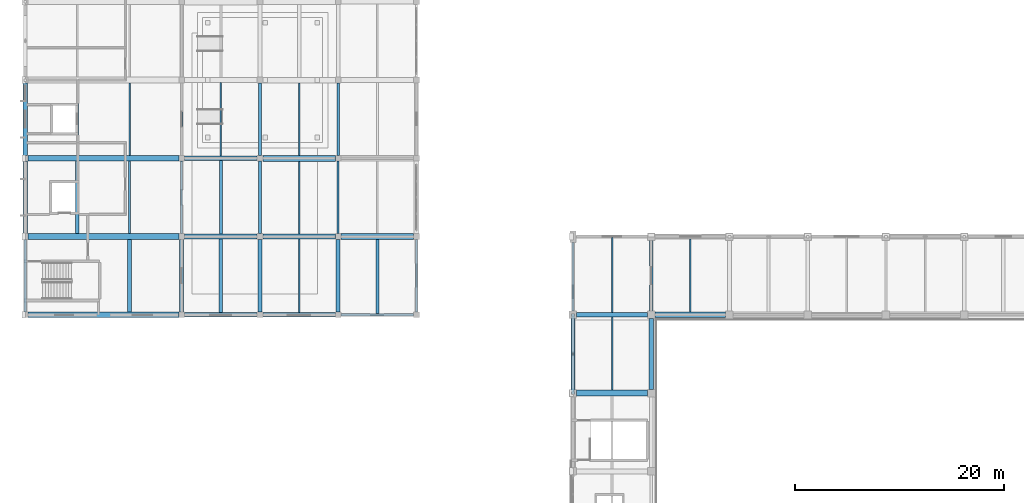
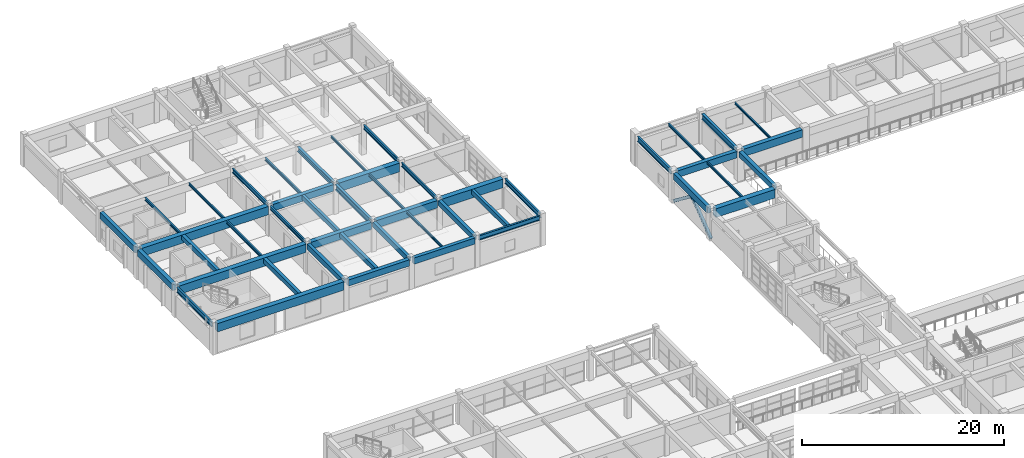
# One storey, part 51 of 101: 46 beams, 2 members.
"""IFC4 building model written with IfcOpenShell, lengths in metres."""

from ifc_helpers import new_model, si_unit, direction, frame, origin, origin_2d, place, context, subcontext, project, spatial, rectangle, i_section, extrude, material, material_profile, profile_set, type_object, element, save


model = new_model("IFC4")

# Units and contexts
model_context = context("Model", 3, precision=1e-05, world=origin(), true_north=direction((0.0, 1.0)))
body_context = subcontext(model_context, "Body", "Model", "MODEL_VIEW")
ifc_project = project(units=[si_unit("LENGTHUNIT", "METRE"), si_unit("AREAUNIT", "SQUARE_METRE"), si_unit("VOLUMEUNIT", "CUBIC_METRE"), si_unit("PLANEANGLEUNIT", "RADIAN"), si_unit("MASSUNIT", "GRAM", prefix="KILO")], contexts=[model_context])

# Site, building, storey
site_placement = place(None, origin())
site = spatial("IfcSite", under=ifc_project, at=site_placement, CompositionType="ELEMENT")
building_placement = place(site_placement, origin())
building = spatial("IfcBuilding", under=site, at=building_placement, Name="Qasida Concert Hall", CompositionType="ELEMENT")
storey_placement = place(building_placement, frame((0.0, 0.0, 13.199951171875)))
storey = spatial("IfcBuildingStorey", under=building, at=storey_placement, Name="L03", CompositionType="ELEMENT", Elevation=13.199951171875)

# Beams
ifc_material_1 = material(Name="Concrete C40/50", Category="concrete")
ifc_material_profile_1 = material_profile(ifc_material_1, rectangle(XDim=0.39990234375, YDim=0.64990234375, at=origin_2d()), Name="RC 400x650")
ifc_profile_set_1 = profile_set([ifc_material_profile_1], Name="Concrete C40/50")
beam_type_1 = type_object("IfcBeamType", Name="BM-B1", PredefinedType="BEAM", material=ifc_profile_set_1)
beam_1_placement = place(storey_placement, frame((60.0, 67.860107421875, 3.295166015625), z_axis=(0.0, 1.0, 0.0), x_axis=(-1.0, 0.0, 0.0)))
element("IfcBeam", 1, at=beam_1_placement, inside=storey, type_object=beam_type_1, Name="L03 girder 1554", PredefinedType="BEAM", context=body_context, shape_type="SweptSolid", body=[
    extrude(rectangle(XDim=0.39990234375, YDim=0.64990234375, at=origin_2d()), origin(), (0.0, 0.0, 1.0), 6.77978515625),
])
ifc_material_profile_2 = material_profile(ifc_material_1, rectangle(XDim=0.3798828125, YDim=0.6201171875, at=origin_2d()), Name="RC 380x620")
ifc_profile_set_2 = profile_set([ifc_material_profile_2], Name="Concrete C40/50")
beam_type_2 = type_object("IfcBeamType", Name="BM-B10", PredefinedType="BEAM", material=ifc_profile_set_2)
for number, where, z_axis, x_axis, name in (
    (2, (15.0, 75.27490234375, 3.31005859375), (0.0, 1.0, 0.0), (-1.0, 0.0, 0.0), "L03 girder 1762"),
    (3, (30.0, 75.27490234375, 3.31005859375), (0.0, 1.0, 0.0), (-1.0, 0.0, 0.0), "L03 girder 1772"),
):
    element("IfcBeam", number, at=place(storey_placement, frame(where, z_axis=z_axis, x_axis=x_axis)), inside=storey, type_object=beam_type_2, Name=name, PredefinedType="BEAM", context=body_context, shape_type="SweptSolid", body=[
        extrude(rectangle(XDim=0.3798828125, YDim=0.6201171875, at=origin_2d()), origin(), (0.0, 0.0, 1.0), 6.9501953125),
    ])
ifc_material_2 = material(Name="Steel S355J2", Category="steel")
ifc_material_profile_3 = material_profile(ifc_material_2, i_section(OverallWidth=0.300048828125, OverallDepth=0.550048828125, WebThickness=0.014892578125, FlangeThickness=0.029052734375, FilletRadius=0.027099609375, at=origin_2d()), Name="HEB 550")
ifc_profile_set_3 = profile_set([ifc_material_profile_3], Name="Steel S355J2")
beam_type_3 = type_object("IfcBeamType", Name="BM-B12", PredefinedType="BEAM", material=ifc_profile_set_3)
beam_2_placement = place(storey_placement, frame((22.5, 90.27490234375, 3.344970703125), z_axis=(0.0, 1.0, 0.0), x_axis=(-1.0, 0.0, 0.0)))
element("IfcBeam", 4, at=beam_2_placement, inside=storey, type_object=beam_type_3, Name="L03 girder 1769", PredefinedType="BEAM", context=body_context, shape_type="SweptSolid", body=[
    extrude(i_section(OverallWidth=0.300048828125, OverallDepth=0.550048828125, WebThickness=0.014892578125, FlangeThickness=0.029052734375, FilletRadius=0.027099609375, at=origin_2d()), origin(), (0.0, 0.0, 1.0), 6.9501953125),
])
ifc_material_profile_4 = material_profile(ifc_material_2, i_section(OverallWidth=0.300048828125, OverallDepth=0.64990234375, WebThickness=0.01611328125, FlangeThickness=0.031005859375, FilletRadius=0.027099609375, at=origin_2d()), Name="HEB 650")
ifc_profile_set_4 = profile_set([ifc_material_profile_4], Name="Steel S355J2")
beam_type_4 = type_object("IfcBeamType", Name="BM-B13", PredefinedType="BEAM", material=ifc_profile_set_4)
beam_3_placement = place(storey_placement, frame((60.0, 75.360107421875, 3.295166015625), z_axis=(0.0, 1.0, 0.0), x_axis=(-1.0, 0.0, 0.0)))
element("IfcBeam", 5, at=beam_3_placement, inside=storey, type_object=beam_type_4, Name="L03 girder 1555", PredefinedType="BEAM", context=body_context, shape_type="SweptSolid", body=[
    extrude(i_section(OverallWidth=0.300048828125, OverallDepth=0.64990234375, WebThickness=0.01611328125, FlangeThickness=0.031005859375, FilletRadius=0.027099609375, at=origin_2d()), origin(), (0.0, 0.0, 1.0), 6.77978515625),
])
beam_4_placement = place(storey_placement, frame((22.5, 82.77490234375, 3.295166015625), z_axis=(0.0, 1.0, 0.0), x_axis=(-1.0, 0.0, 0.0)))
element("IfcBeam", 6, at=beam_4_placement, inside=storey, type_object=beam_type_4, Name="L03 girder 1768", PredefinedType="BEAM", context=body_context, shape_type="SweptSolid", body=[
    extrude(i_section(OverallWidth=0.300048828125, OverallDepth=0.64990234375, WebThickness=0.01611328125, FlangeThickness=0.031005859375, FilletRadius=0.027099609375, at=origin_2d()), origin(), (0.0, 0.0, 1.0), 6.9501953125),
])
ifc_material_profile_5 = material_profile(ifc_material_1, rectangle(XDim=0.35009765625, YDim=0.60009765625, at=origin_2d()), Name="RC 350x600")
ifc_profile_set_5 = profile_set([ifc_material_profile_5], Name="Concrete C40/50")
beam_type_5 = type_object("IfcBeamType", Name="BM-B2", PredefinedType="BEAM", material=ifc_profile_set_5)
beam_5_placement = place(storey_placement, frame((22.5, 75.27490234375, 3.320068359375), z_axis=(0.0, 1.0, 0.0), x_axis=(-1.0, 0.0, 0.0)))
element("IfcBeam", 7, at=beam_5_placement, inside=storey, type_object=beam_type_5, Name="L03 girder 1767", PredefinedType="BEAM", context=body_context, shape_type="SweptSolid", body=[
    extrude(rectangle(XDim=0.35009765625, YDim=0.60009765625, at=origin_2d()), origin(), (0.0, 0.0, 1.0), 6.9501953125),
])
ifc_material_profile_6 = material_profile(ifc_material_2, i_section(OverallWidth=0.199951171875, OverallDepth=0.5, WebThickness=0.01025390625, FlangeThickness=0.01611328125, FilletRadius=0.02099609375, at=origin_2d()), Name="IPE 500")
ifc_profile_set_6 = profile_set([ifc_material_profile_6], Name="Steel S355J2")
beam_type_6 = type_object("IfcBeamType", Name="BM-B4", PredefinedType="BEAM", material=ifc_profile_set_6)
for number, where, z_axis, x_axis, name in (
    (8, (15.0, 90.27490234375, 3.3701171875), (0.0, 1.0, 0.0), (-1.0, 0.0, 0.0), "L03 girder 1764"),
    (9, (30.0, 90.27490234375, 3.3701171875), (0.0, 1.0, 0.0), (-1.0, 0.0, 0.0), "L03 girder 1774"),
):
    element("IfcBeam", number, at=place(storey_placement, frame(where, z_axis=z_axis, x_axis=x_axis)), inside=storey, type_object=beam_type_6, Name=name, PredefinedType="BEAM", context=body_context, shape_type="SweptSolid", body=[
        extrude(i_section(OverallWidth=0.199951171875, OverallDepth=0.5, WebThickness=0.01025390625, FlangeThickness=0.01611328125, FilletRadius=0.02099609375, at=origin_2d()), origin(), (0.0, 0.0, 1.0), 6.9501953125),
    ])
ifc_material_profile_7 = material_profile(ifc_material_2, i_section(OverallWidth=0.18994140625, OverallDepth=0.449951171875, WebThickness=0.009521484375, FlangeThickness=0.0146484375, FilletRadius=0.02099609375, at=origin_2d()), Name="IPE 450")
ifc_profile_set_7 = profile_set([ifc_material_profile_7], Name="Steel S355J2")
beam_type_7 = type_object("IfcBeamType", Name="BM-B5", PredefinedType="BEAM", material=ifc_profile_set_7)
for number, where, z_axis, x_axis, name in (
    (10, (15.0, 82.77490234375, 3.39501953125), (0.0, 1.0, 0.0), (-1.0, 0.0, 0.0), "L03 girder 1763"),
    (11, (30.0, 82.77490234375, 3.39501953125), (0.0, 1.0, 0.0), (-1.0, 0.0, 0.0), "L03 girder 1773"),
):
    element("IfcBeam", number, at=place(storey_placement, frame(where, z_axis=z_axis, x_axis=x_axis)), inside=storey, type_object=beam_type_7, Name=name, PredefinedType="BEAM", context=body_context, shape_type="SweptSolid", body=[
        extrude(i_section(OverallWidth=0.18994140625, OverallDepth=0.449951171875, WebThickness=0.009521484375, FlangeThickness=0.0146484375, FilletRadius=0.02099609375, at=origin_2d()), origin(), (0.0, 0.0, 1.0), 6.9501953125),
    ])
ifc_material_profile_8 = material_profile(ifc_material_1, rectangle(XDim=0.5, YDim=0.89990234375, at=origin_2d()), Name="RC 500x900")
ifc_profile_set_8 = profile_set([ifc_material_profile_8], Name="Concrete C40/50")
beam_type_8 = type_object("IfcBeamType", Name="BM-G1", PredefinedType="USERDEFINED", material=ifc_profile_set_8)
beam_6_placement = place(storey_placement, frame((60.360107421875, 75.0, 3.170166015625), z_axis=(1.0, 0.0, 0.0), x_axis=(0.0, 1.0, 0.0)))
element("IfcBeam", 12, at=beam_6_placement, inside=storey, type_object=beam_type_8, Name="Primary girder 1531", ObjectType="GIRDER", PredefinedType="USERDEFINED", context=body_context, shape_type="SweptSolid", body=[
    extrude(rectangle(XDim=0.5, YDim=0.89990234375, at=origin_2d()), origin(), (0.0, 0.0, 1.0), 6.77978515625),
])
beam_7_placement = place(storey_placement, frame((22.77490234375, 82.5, 3.170166015625), z_axis=(1.0, 0.0, 0.0), x_axis=(0.0, 1.0, 0.0)))
element("IfcBeam", 13, at=beam_7_placement, inside=storey, type_object=beam_type_8, Name="Primary girder 1739", ObjectType="GIRDER", PredefinedType="USERDEFINED", context=body_context, shape_type="SweptSolid", body=[
    extrude(rectangle(XDim=0.5, YDim=0.89990234375, at=origin_2d()), origin(), (0.0, 0.0, 1.0), 6.9501953125),
])
ifc_material_profile_9 = material_profile(ifc_material_1, rectangle(XDim=0.449951171875, YDim=0.800048828125, at=origin_2d()), Name="RC 450x800")
ifc_profile_set_9 = profile_set([ifc_material_profile_9], Name="Concrete C40/50")
beam_type_9 = type_object("IfcBeamType", Name="BM-G2", PredefinedType="USERDEFINED", material=ifc_profile_set_9)
beam_8_placement = place(storey_placement, frame((52.860107421875, 75.0, 3.219970703125), z_axis=(1.0, 0.0, 0.0), x_axis=(0.0, 1.0, 0.0)))
element("IfcBeam", 14, at=beam_8_placement, inside=storey, type_object=beam_type_9, Name="Primary girder 1530", ObjectType="GIRDER", PredefinedType="USERDEFINED", context=body_context, shape_type="SweptSolid", body=[
    extrude(rectangle(XDim=0.449951171875, YDim=0.800048828125, at=origin_2d()), origin(), (0.0, 0.0, 1.0), 6.77978515625),
])
beam_9_placement = place(storey_placement, frame((15.27490234375, 90.0, 3.219970703125), z_axis=(1.0, 0.0, 0.0), x_axis=(0.0, 1.0, 0.0)))
element("IfcBeam", 15, at=beam_9_placement, inside=storey, type_object=beam_type_9, Name="Primary girder 1742", ObjectType="GIRDER", PredefinedType="USERDEFINED", context=body_context, shape_type="SweptSolid", body=[
    extrude(rectangle(XDim=0.449951171875, YDim=0.800048828125, at=origin_2d()), origin(), (0.0, 0.0, 1.0), 6.9501953125),
])
ifc_material_profile_10 = material_profile(ifc_material_1, rectangle(XDim=0.550048828125, YDim=1.0, at=origin_2d()), Name="RC 550x1000")
ifc_profile_set_10 = profile_set([ifc_material_profile_10], Name="Concrete C40/50")
beam_type_10 = type_object("IfcBeamType", Name="BM-G3", PredefinedType="USERDEFINED", material=ifc_profile_set_10)
for number, where, z_axis, x_axis, name in (
    (16, (0.27490234375, 75.0, 3.1201171875), (1.0, 0.0, 0.0), (0.0, 1.0, 0.0), "Primary girder 1733"),
    (17, (0.27490234375, 82.5, 3.1201171875), (1.0, 0.0, 0.0), (0.0, 1.0, 0.0), "Primary girder 1737"),
    (18, (0.27490234375, 90.0, 3.1201171875), (1.0, 0.0, 0.0), (0.0, 1.0, 0.0), "Primary girder 1741"),
):
    element("IfcBeam", number, at=place(storey_placement, frame(where, z_axis=z_axis, x_axis=x_axis)), inside=storey, type_object=beam_type_10, Name=name, ObjectType="GIRDER", PredefinedType="USERDEFINED", context=body_context, shape_type="SweptSolid", body=[
        extrude(rectangle(XDim=0.550048828125, YDim=1.0, at=origin_2d()), origin(), (0.0, 0.0, 1.0), 14.4501953125),
    ])
ifc_material_profile_11 = material_profile(ifc_material_1, rectangle(XDim=0.47998046875, YDim=0.85009765625, at=origin_2d()), Name="RC 480x850")
ifc_profile_set_11 = profile_set([ifc_material_profile_11], Name="Concrete C40/50")
beam_type_11 = type_object("IfcBeamType", Name="BM-G6", PredefinedType="USERDEFINED", material=ifc_profile_set_11)
beam_10_placement = place(storey_placement, frame((15.27490234375, 82.5, 3.195068359375), z_axis=(1.0, 0.0, 0.0), x_axis=(0.0, 1.0, 0.0)))
element("IfcBeam", 19, at=beam_10_placement, inside=storey, type_object=beam_type_11, Name="Primary girder 1738", ObjectType="GIRDER", PredefinedType="USERDEFINED", context=body_context, shape_type="SweptSolid", body=[
    extrude(rectangle(XDim=0.47998046875, YDim=0.85009765625, at=origin_2d()), origin(), (0.0, 0.0, 1.0), 6.9501953125),
])
ifc_material_3 = material(Name="Concrete C50/60", Category="concrete")
ifc_material_profile_12 = material_profile(ifc_material_3, rectangle(XDim=0.580078125, YDim=1.050048828125, at=origin_2d()), Name="RC 580x1050")
ifc_profile_set_12 = profile_set([ifc_material_profile_12], Name="Concrete C50/60")
beam_type_12 = type_object("IfcBeamType", Name="BM-G8", PredefinedType="USERDEFINED", material=ifc_profile_set_12)
beam_11_placement = place(storey_placement, frame((52.860107421875, 67.5, 3.094970703125), z_axis=(1.0, 0.0, 0.0), x_axis=(0.0, 1.0, 0.0)))
element("IfcBeam", 20, at=beam_11_placement, inside=storey, type_object=beam_type_12, Name="Primary girder 1528", ObjectType="GIRDER", PredefinedType="USERDEFINED", context=body_context, shape_type="SweptSolid", body=[
    extrude(rectangle(XDim=0.580078125, YDim=1.050048828125, at=origin_2d()), origin(), (0.0, 0.0, 1.0), 6.77978515625),
])
for number, where, z_axis, x_axis, name in (
    (21, (30.27490234375, 82.5, 3.094970703125), (1.0, 0.0, 0.0), (0.0, 1.0, 0.0), "Primary girder 1740"),
    (22, (22.77490234375, 90.0, 3.094970703125), (1.0, 0.0, 0.0), (0.0, 1.0, 0.0), "Primary girder 1743"),
):
    element("IfcBeam", number, at=place(storey_placement, frame(where, z_axis=z_axis, x_axis=x_axis)), inside=storey, type_object=beam_type_12, Name=name, ObjectType="GIRDER", PredefinedType="USERDEFINED", context=body_context, shape_type="SweptSolid", body=[
        extrude(rectangle(XDim=0.580078125, YDim=1.050048828125, at=origin_2d()), origin(), (0.0, 0.0, 1.0), 6.9501953125),
    ])
ifc_material_profile_13 = material_profile(ifc_material_1, rectangle(XDim=0.300048828125, YDim=0.550048828125, at=origin_2d()), Name="RC 300x550")
ifc_profile_set_13 = profile_set([ifc_material_profile_13], Name="Concrete C40/50")
beam_type_13 = type_object("IfcBeamType", Name="BM-J1", PredefinedType="JOIST", material=ifc_profile_set_13)
beam_12_placement = place(storey_placement, frame((18.75, 82.739990234375, 3.344970703125), z_axis=(0.0, 1.0, 0.0), x_axis=(-1.0, 0.0, 0.0)))
element("IfcBeam", 23, at=beam_12_placement, inside=storey, type_object=beam_type_13, Name="L03 secondary joist 1792", PredefinedType="JOIST", context=body_context, shape_type="SweptSolid", body=[
    extrude(rectangle(XDim=0.300048828125, YDim=0.550048828125, at=origin_2d()), origin(), (0.0, 0.0, 1.0), 7.034912109375),
])
beam_13_placement = place(storey_placement, frame((33.75, 75.10498046875, 3.344970703125), z_axis=(0.0, 1.0, 0.0), x_axis=(-1.0, 0.0, 0.0)))
element("IfcBeam", 24, at=beam_13_placement, inside=storey, type_object=beam_type_13, Name="L03 secondary joist 1800", PredefinedType="JOIST", context=body_context, shape_type="SweptSolid", body=[
    extrude(rectangle(XDim=0.300048828125, YDim=0.550048828125, at=origin_2d()), origin(), (0.0, 0.0, 1.0), 7.10498046875),
])
ifc_material_profile_14 = material_profile(ifc_material_2, i_section(OverallWidth=0.169921875, OverallDepth=0.360107421875, WebThickness=0.008056640625, FlangeThickness=0.0126953125, FilletRadius=0.01806640625, at=origin_2d()), Name="IPE 360")
ifc_profile_set_14 = profile_set([ifc_material_profile_14], Name="Steel S355J2")
beam_type_14 = type_object("IfcBeamType", Name="BM-J2", PredefinedType="JOIST", material=ifc_profile_set_14)
for number, where, z_axis, x_axis, name in (
    (25, (10.0, 82.77490234375, 3.43994140625), (0.0, 1.0, 0.0), (-1.0, 0.0, 0.0), "L03 secondary joist 1784"),
    (26, (5.0, 90.27490234375, 3.43994140625), (0.0, 1.0, 0.0), (-1.0, 0.0, 0.0), "L03 secondary joist 1785"),
):
    element("IfcBeam", number, at=place(storey_placement, frame(where, z_axis=z_axis, x_axis=x_axis)), inside=storey, type_object=beam_type_14, Name=name, PredefinedType="JOIST", context=body_context, shape_type="SweptSolid", body=[
        extrude(i_section(OverallWidth=0.169921875, OverallDepth=0.360107421875, WebThickness=0.008056640625, FlangeThickness=0.0126953125, FilletRadius=0.01806640625, at=origin_2d()), origin(), (0.0, 0.0, 1.0), 6.9501953125),
    ])
beam_14_placement = place(storey_placement, frame((18.75, 90.22509765625, 3.43994140625), z_axis=(0.0, 1.0, 0.0), x_axis=(-1.0, 0.0, 0.0)))
element("IfcBeam", 27, at=beam_14_placement, inside=storey, type_object=beam_type_14, Name="L03 secondary joist 1793", PredefinedType="JOIST", context=body_context, shape_type="SweptSolid", body=[
    extrude(i_section(OverallWidth=0.169921875, OverallDepth=0.360107421875, WebThickness=0.008056640625, FlangeThickness=0.0126953125, FilletRadius=0.01806640625, at=origin_2d()), origin(), (0.0, 0.0, 1.0), 7.02490234375),
])
ifc_material_profile_15 = material_profile(ifc_material_2, i_section(OverallWidth=0.14990234375, OverallDepth=0.300048828125, WebThickness=0.007080078125, FlangeThickness=0.0107421875, FilletRadius=0.014892578125, at=origin_2d()), Name="IPE 300")
ifc_profile_set_15 = profile_set([ifc_material_profile_15], Name="Steel S355J2")
beam_type_15 = type_object("IfcBeamType", Name="BM-J4", PredefinedType="JOIST", material=ifc_profile_set_15)
beam_15_placement = place(storey_placement, frame((56.25, 67.7900390625, 3.469970703125), z_axis=(0.0, 1.0, 0.0), x_axis=(-1.0, 0.0, 0.0)))
element("IfcBeam", 28, at=beam_15_placement, inside=storey, type_object=beam_type_15, Name="L03 secondary joist 1579", PredefinedType="JOIST", context=body_context, shape_type="SweptSolid", body=[
    extrude(i_section(OverallWidth=0.14990234375, OverallDepth=0.300048828125, WebThickness=0.007080078125, FlangeThickness=0.0107421875, FilletRadius=0.014892578125, at=origin_2d()), origin(), (0.0, 0.0, 1.0), 6.98486328125),
])
beam_16_placement = place(storey_placement, frame((10.0, 90.27490234375, 3.469970703125), z_axis=(0.0, 1.0, 0.0), x_axis=(-1.0, 0.0, 0.0)))
element("IfcBeam", 29, at=beam_16_placement, inside=storey, type_object=beam_type_15, Name="L03 secondary joist 1786", PredefinedType="JOIST", context=body_context, shape_type="SweptSolid", body=[
    extrude(i_section(OverallWidth=0.14990234375, OverallDepth=0.300048828125, WebThickness=0.007080078125, FlangeThickness=0.0107421875, FilletRadius=0.014892578125, at=origin_2d()), origin(), (0.0, 0.0, 1.0), 6.9501953125),
])
beam_17_placement = place(storey_placement, frame((26.25, 75.199951171875, 3.469970703125), z_axis=(0.0, 1.0, 0.0), x_axis=(-1.0, 0.0, 0.0)))
element("IfcBeam", 30, at=beam_17_placement, inside=storey, type_object=beam_type_15, Name="L03 secondary joist 1795", PredefinedType="JOIST", context=body_context, shape_type="SweptSolid", body=[
    extrude(i_section(OverallWidth=0.14990234375, OverallDepth=0.300048828125, WebThickness=0.007080078125, FlangeThickness=0.0107421875, FilletRadius=0.014892578125, at=origin_2d()), origin(), (0.0, 0.0, 1.0), 7.050048828125),
])
ifc_material_profile_16 = material_profile(ifc_material_2, i_section(OverallWidth=0.159912109375, OverallDepth=0.330078125, WebThickness=0.007568359375, FlangeThickness=0.011474609375, FilletRadius=0.01806640625, at=origin_2d()), Name="IPE 330")
ifc_profile_set_16 = profile_set([ifc_material_profile_16], Name="Steel S355J2")
beam_type_16 = type_object("IfcBeamType", Name="BM-J5", PredefinedType="JOIST", material=ifc_profile_set_16)
beam_18_placement = place(storey_placement, frame((56.25, 75.22509765625, 3.455078125), z_axis=(0.0, 1.0, 0.0), x_axis=(-1.0, 0.0, 0.0)))
element("IfcBeam", 31, at=beam_18_placement, inside=storey, type_object=beam_type_16, Name="L03 secondary joist 1580", PredefinedType="JOIST", context=body_context, shape_type="SweptSolid", body=[
    extrude(i_section(OverallWidth=0.159912109375, OverallDepth=0.330078125, WebThickness=0.007568359375, FlangeThickness=0.011474609375, FilletRadius=0.01806640625, at=origin_2d()), origin(), (0.0, 0.0, 1.0), 7.169921875),
])
beam_19_placement = place(storey_placement, frame((26.25, 82.75, 3.455078125), z_axis=(0.0, 1.0, 0.0), x_axis=(-1.0, 0.0, 0.0)))
element("IfcBeam", 32, at=beam_19_placement, inside=storey, type_object=beam_type_16, Name="L03 secondary joist 1796", PredefinedType="JOIST", context=body_context, shape_type="SweptSolid", body=[
    extrude(i_section(OverallWidth=0.159912109375, OverallDepth=0.330078125, WebThickness=0.007568359375, FlangeThickness=0.011474609375, FilletRadius=0.01806640625, at=origin_2d()), origin(), (0.0, 0.0, 1.0), 6.9599609375),
])
ifc_material_profile_17 = material_profile(ifc_material_2, i_section(OverallWidth=0.135009765625, OverallDepth=0.27001953125, WebThickness=0.006591796875, FlangeThickness=0.01025390625, FilletRadius=0.014892578125, at=origin_2d()), Name="IPE 270")
ifc_profile_set_17 = profile_set([ifc_material_profile_17], Name="Steel S355J2")
beam_type_17 = type_object("IfcBeamType", Name="BM-J6", PredefinedType="JOIST", material=ifc_profile_set_17)
beam_20_placement = place(storey_placement, frame((63.75, 75.25, 3.485107421875), z_axis=(0.0, 1.0, 0.0), x_axis=(-1.0, 0.0, 0.0)))
element("IfcBeam", 33, at=beam_20_placement, inside=storey, type_object=beam_type_17, Name="L03 secondary joist 1581", PredefinedType="JOIST", context=body_context, shape_type="SweptSolid", body=[
    extrude(i_section(OverallWidth=0.135009765625, OverallDepth=0.27001953125, WebThickness=0.006591796875, FlangeThickness=0.01025390625, FilletRadius=0.014892578125, at=origin_2d()), origin(), (0.0, 0.0, 1.0), 7.02490234375),
])
beam_21_placement = place(storey_placement, frame((26.25, 90.2900390625, 3.485107421875), z_axis=(0.0, 1.0, 0.0), x_axis=(-1.0, 0.0, 0.0)))
element("IfcBeam", 34, at=beam_21_placement, inside=storey, type_object=beam_type_17, Name="L03 secondary joist 1797", PredefinedType="JOIST", context=body_context, shape_type="SweptSolid", body=[
    extrude(i_section(OverallWidth=0.135009765625, OverallDepth=0.27001953125, WebThickness=0.006591796875, FlangeThickness=0.01025390625, FilletRadius=0.014892578125, at=origin_2d()), origin(), (0.0, 0.0, 1.0), 6.949951171875),
])
ifc_material_profile_18 = material_profile(ifc_material_1, rectangle(XDim=0.35009765625, YDim=0.550048828125, at=origin_2d()), Name="RC 350x550")
ifc_profile_set_18 = profile_set([ifc_material_profile_18], Name="Concrete C40/50")
beam_type_18 = type_object("IfcBeamType", Name="BM-J8", PredefinedType="JOIST", material=ifc_profile_set_18)
for number, where, z_axis, x_axis, name in (
    (35, (10.0, 75.27490234375, 3.344970703125), (0.0, 1.0, 0.0), (-1.0, 0.0, 0.0), "L03 secondary joist 1782"),
    (36, (5.0, 82.77490234375, 3.344970703125), (0.0, 1.0, 0.0), (-1.0, 0.0, 0.0), "L03 secondary joist 1783"),
):
    element("IfcBeam", number, at=place(storey_placement, frame(where, z_axis=z_axis, x_axis=x_axis)), inside=storey, type_object=beam_type_18, Name=name, PredefinedType="JOIST", context=body_context, shape_type="SweptSolid", body=[
        extrude(rectangle(XDim=0.35009765625, YDim=0.550048828125, at=origin_2d()), origin(), (0.0, 0.0, 1.0), 6.9501953125),
    ])
beam_22_placement = place(storey_placement, frame((18.75, 75.22509765625, 3.344970703125), z_axis=(0.0, 1.0, 0.0), x_axis=(-1.0, 0.0, 0.0)))
element("IfcBeam", 37, at=beam_22_placement, inside=storey, type_object=beam_type_18, Name="L03 secondary joist 1791", PredefinedType="JOIST", context=body_context, shape_type="SweptSolid", body=[
    extrude(rectangle(XDim=0.35009765625, YDim=0.550048828125, at=origin_2d()), origin(), (0.0, 0.0, 1.0), 7.034912109375),
])
ifc_material_profile_19 = material_profile(ifc_material_1, rectangle(XDim=0.39990234375, YDim=0.75, at=origin_2d()), Name="RC 400x750")
ifc_profile_set_19 = profile_set([ifc_material_profile_19], Name="Concrete C40/50")
beam_type_19 = type_object("IfcBeamType", Name="BM-SP1", PredefinedType="SPANDREL", material=ifc_profile_set_19)
beam_23_placement = place(storey_placement, frame((52.5, 67.860107421875, 3.2451171875), z_axis=(0.0, 1.0, 0.0), x_axis=(-1.0, 0.0, 0.0)))
element("IfcBeam", 38, at=beam_23_placement, inside=storey, type_object=beam_type_19, Name="L03 girder 1548", PredefinedType="SPANDREL", context=body_context, shape_type="SweptSolid", body=[
    extrude(rectangle(XDim=0.39990234375, YDim=0.75, at=origin_2d()), origin(), (0.0, 0.0, 1.0), 6.77978515625),
])
for number, where, z_axis, x_axis, name in (
    (39, (22.77490234375, 75.0, 3.2451171875), (1.0, 0.0, 0.0), (0.0, 1.0, 0.0), "Primary girder 1735"),
    (40, (0.0, 90.27490234375, 3.2451171875), (0.0, 1.0, 0.0), (-1.0, 0.0, 0.0), "L03 girder 1759"),
):
    element("IfcBeam", number, at=place(storey_placement, frame(where, z_axis=z_axis, x_axis=x_axis)), inside=storey, type_object=beam_type_19, Name=name, PredefinedType="SPANDREL", context=body_context, shape_type="SweptSolid", body=[
        extrude(rectangle(XDim=0.39990234375, YDim=0.75, at=origin_2d()), origin(), (0.0, 0.0, 1.0), 6.9501953125),
    ])
ifc_material_profile_20 = material_profile(ifc_material_2, i_section(OverallWidth=0.2099609375, OverallDepth=0.550048828125, WebThickness=0.010986328125, FlangeThickness=0.01708984375, FilletRadius=0.02392578125, at=origin_2d()), Name="IPE 550")
ifc_profile_set_20 = profile_set([ifc_material_profile_20], Name="Steel S355J2")
beam_type_20 = type_object("IfcBeamType", Name="BM-SP2", PredefinedType="SPANDREL", material=ifc_profile_set_20)
beam_24_placement = place(storey_placement, frame((30.27490234375, 75.0, 3.344970703125), z_axis=(1.0, 0.0, 0.0), x_axis=(0.0, 1.0, 0.0)))
element("IfcBeam", 41, at=beam_24_placement, inside=storey, type_object=beam_type_20, Name="Primary girder 1736", PredefinedType="SPANDREL", context=body_context, shape_type="SweptSolid", body=[
    extrude(i_section(OverallWidth=0.2099609375, OverallDepth=0.550048828125, WebThickness=0.010986328125, FlangeThickness=0.01708984375, FilletRadius=0.02392578125, at=origin_2d()), origin(), (0.0, 0.0, 1.0), 6.9501953125),
])
ifc_material_profile_21 = material_profile(ifc_material_2, i_section(OverallWidth=0.219970703125, OverallDepth=0.60009765625, WebThickness=0.011962890625, FlangeThickness=0.01904296875, FilletRadius=0.02392578125, at=origin_2d()), Name="IPE 600")
ifc_profile_set_21 = profile_set([ifc_material_profile_21], Name="Steel S355J2")
beam_type_21 = type_object("IfcBeamType", Name="BM-SP3", PredefinedType="SPANDREL", material=ifc_profile_set_21)
beam_25_placement = place(storey_placement, frame((52.5, 75.360107421875, 3.320068359375), z_axis=(0.0, 1.0, 0.0), x_axis=(-1.0, 0.0, 0.0)))
element("IfcBeam", 42, at=beam_25_placement, inside=storey, type_object=beam_type_21, Name="L03 girder 1549", PredefinedType="SPANDREL", context=body_context, shape_type="SweptSolid", body=[
    extrude(i_section(OverallWidth=0.219970703125, OverallDepth=0.60009765625, WebThickness=0.011962890625, FlangeThickness=0.01904296875, FilletRadius=0.02392578125, at=origin_2d()), origin(), (0.0, 0.0, 1.0), 6.58984375),
])
for number, where, z_axis, x_axis, name in (
    (43, (0.0, 75.27490234375, 3.320068359375), (0.0, 1.0, 0.0), (-1.0, 0.0, 0.0), "L03 girder 1757"),
    (44, (37.5, 75.27490234375, 3.320068359375), (0.0, 1.0, 0.0), (-1.0, 0.0, 0.0), "L03 girder 1777"),
):
    element("IfcBeam", number, at=place(storey_placement, frame(where, z_axis=z_axis, x_axis=x_axis)), inside=storey, type_object=beam_type_21, Name=name, PredefinedType="SPANDREL", context=body_context, shape_type="SweptSolid", body=[
        extrude(i_section(OverallWidth=0.219970703125, OverallDepth=0.60009765625, WebThickness=0.011962890625, FlangeThickness=0.01904296875, FilletRadius=0.02392578125, at=origin_2d()), origin(), (0.0, 0.0, 1.0), 6.9501953125),
    ])
ifc_material_profile_22 = material_profile(ifc_material_1, rectangle(XDim=0.449951171875, YDim=0.75, at=origin_2d()), Name="RC 450x750")
ifc_profile_set_22 = profile_set([ifc_material_profile_22], Name="Concrete C40/50")
beam_type_22 = type_object("IfcBeamType", Name="BM-SP4", PredefinedType="SPANDREL", material=ifc_profile_set_22)
for number, where, z_axis, x_axis, name in (
    (45, (15.27490234375, 75.0, 3.2451171875), (1.0, 0.0, 0.0), (0.0, 1.0, 0.0), "Primary girder 1734"),
    (46, (0.0, 82.77490234375, 3.2451171875), (0.0, 1.0, 0.0), (-1.0, 0.0, 0.0), "L03 girder 1758"),
):
    element("IfcBeam", number, at=place(storey_placement, frame(where, z_axis=z_axis, x_axis=x_axis)), inside=storey, type_object=beam_type_22, Name=name, PredefinedType="SPANDREL", context=body_context, shape_type="SweptSolid", body=[
        extrude(rectangle(XDim=0.449951171875, YDim=0.75, at=origin_2d()), origin(), (0.0, 0.0, 1.0), 6.9501953125),
    ])

# Members
ifc_material_profile_23 = material_profile(ifc_material_2, i_section(OverallWidth=0.300048828125, OverallDepth=0.320068359375, WebThickness=0.011474609375, FlangeThickness=0.0205078125, FilletRadius=0.027099609375, at=origin_2d()), Name="HEB 320")
ifc_profile_set_23 = profile_set([ifc_material_profile_23], Name="Steel S355J2")
member_type = type_object("IfcMemberType", Name="MB-BR12", PredefinedType="BRACE", material=ifc_profile_set_23)
for number, where, z_axis, x_axis, name in (
    (47, (52.5, 67.5, 0.0), (0.0, 0.794105362147, 0.607780119623), (-1.0, 0.0, 0.0), "L03 chevron brace CBF-0007"),
    (48, (52.5, 75.0, 0.0), (0.0, -0.794105362147, 0.607780119623), (1.0, 0.0, 0.0), "L03 chevron brace CBF-0008"),
):
    element("IfcMember", number, at=place(storey_placement, frame(where, z_axis=z_axis, x_axis=x_axis)), inside=storey, type_object=member_type, Name=name, PredefinedType="BRACE", context=body_context, shape_type="SweptSolid", body=[
        extrude(i_section(OverallWidth=0.300048828125, OverallDepth=0.320068359375, WebThickness=0.011474609375, FlangeThickness=0.0205078125, FilletRadius=0.027099609375, at=origin_2d()), origin(), (0.0, 0.0, 1.0), 4.722412109375),
    ])

save(model, "model.ifc")
